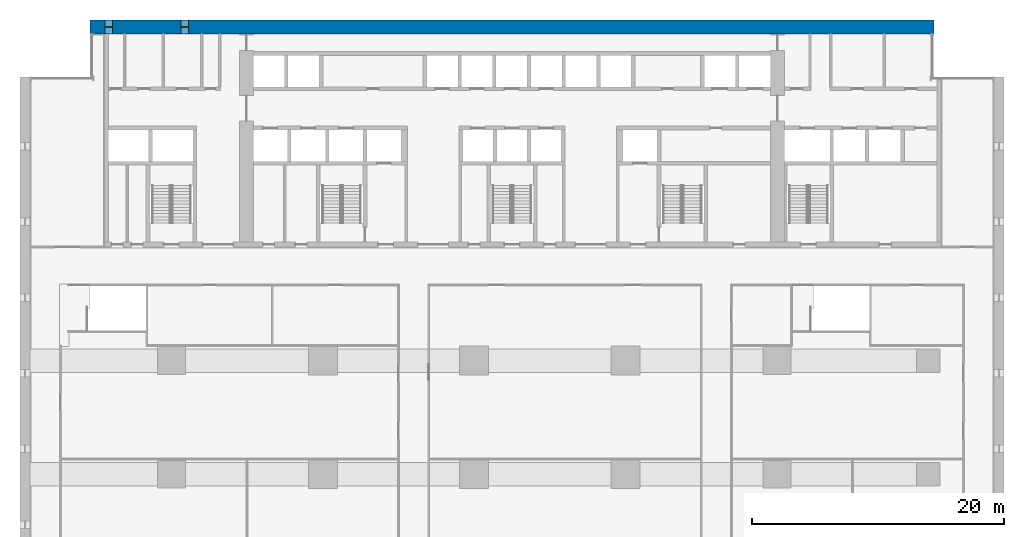
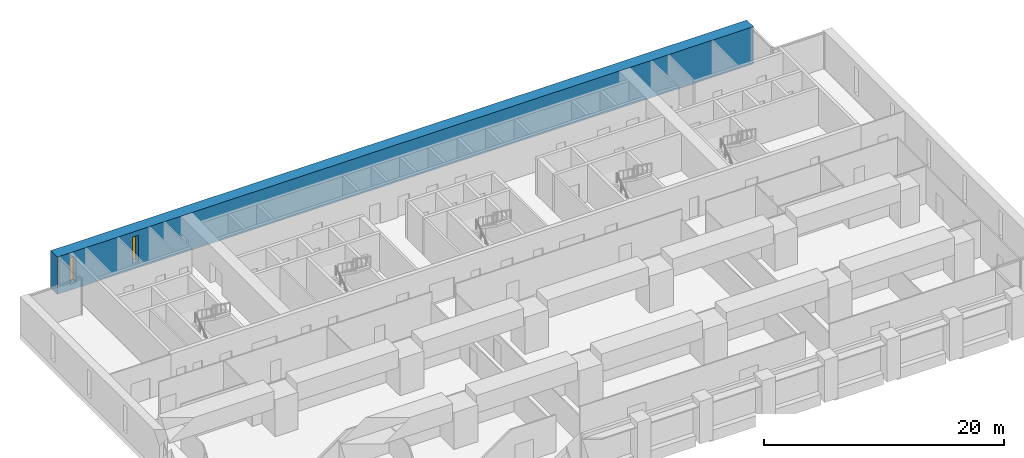
# One storey, part 11 of 17: 2 windows, 1 wall, 2 openings.
"""IFC4 building model written with IfcOpenShell, lengths in metres."""

from ifc_helpers import new_model, si_unit, direction, frame, frame_2d, origin, place, context, subcontext, project, spatial, rectangle, extrude, material, layer, layer_set, type_object, element, fill, save


model = new_model("IFC4")

# Units and contexts
model_context = context("Model", 3, precision=1e-05, world=origin(), true_north=direction((0.0, 1.0)))
body_context = subcontext(model_context, "Body", "Model", "MODEL_VIEW")
ifc_project = project(units=[si_unit("LENGTHUNIT", "METRE"), si_unit("AREAUNIT", "SQUARE_METRE"), si_unit("VOLUMEUNIT", "CUBIC_METRE"), si_unit("PLANEANGLEUNIT", "RADIAN"), si_unit("MASSUNIT", "GRAM", prefix="KILO")], contexts=[model_context])

# Site, building, storey
site_placement = place(None, origin())
site = spatial("IfcSite", under=ifc_project, at=site_placement, CompositionType="ELEMENT")
building_placement = place(site_placement, origin())
building = spatial("IfcBuilding", under=site, at=building_placement, Name="Calvaro Tower", CompositionType="ELEMENT")
storey_placement = place(building_placement, frame((0.0, 0.0, 17.89990234375)))
storey = spatial("IfcBuildingStorey", under=building, at=storey_placement, Name="L03", CompositionType="ELEMENT", Elevation=17.89990234375)

# Wall, openings, windows
ifc_material_1 = material(Name="Concrete C80/95", Category="concrete")
ifc_layer = layer(ifc_material_1, 1.10009765625)
ifc_layer_set = layer_set([ifc_layer], Name="Concrete C80/95")
wall_type = type_object("IfcWallType", Name="Rear core wall 1100 C80/95", PredefinedType="SHEAR", material=ifc_layer_set)
wall_placement = place(storey_placement, frame((5.550048828125, 45.449951171875, 0.0), z_axis=(0.0, 0.0, 1.0), x_axis=(1.0, 0.0, 0.0)))
wall = element("IfcWall", 1, at=wall_placement, inside=storey, type_object=wall_type, Name="North core wall", PredefinedType="SHEAR", context=body_context, shape_type="SweptSolid", body=[
    extrude(rectangle(XDim=66.89990234375, YDim=1.10009765625, at=frame_2d((33.449951171875, 0.0))), origin(), (0.0, 0.0, 1.0), 3.800048828125),
])
opening_1_placement = place(wall_placement, frame((1.199951171875, 0.0, 0.60009765625)))
opening_1 = element("IfcOpeningElement", 2, at=opening_1_placement, cuts=wall, Name="Opening WN01", PredefinedType="OPENING", context=body_context, shape_type="SweptSolid", body=[
    extrude(rectangle(XDim=0.60009765625, YDim=2.699951171875, at=frame_2d((0.300048828125, 1.35009765625))), frame((0.0, 0.56005859375, 0.0), z_axis=(0.0, -1.0, 0.0), x_axis=(1.0, 0.0, 0.0)), (0.0, 0.0, 1.0), 1.1201171875),
])
opening_2_placement = place(wall_placement, frame((7.199951171875, 0.0, 0.60009765625)))
opening_2 = element("IfcOpeningElement", 3, at=opening_2_placement, cuts=wall, Name="Opening WN02", PredefinedType="OPENING", context=body_context, shape_type="SweptSolid", body=[
    extrude(rectangle(XDim=0.60009765625, YDim=2.699951171875, at=frame_2d((0.300048828125, 1.35009765625))), frame((0.0, 0.56005859375, 0.0), z_axis=(0.0, -1.0, 0.0), x_axis=(1.0, 0.0, 0.0)), (0.0, 0.0, 1.0), 1.1201171875),
])
ifc_material_2 = material(Name="Glass", Category="glass")
window_type = type_object("IfcWindowType", Name="Slit window 600 x 2700", PartitioningType="SINGLE_PANEL", PredefinedType="WINDOW", material=ifc_material_2)
window_1_placement = place(opening_1_placement, origin())
window_1 = element("IfcWindow", 4, at=window_1_placement, inside=storey, type_object=window_type, Name="Window WN01", OverallHeight=2.699951171875, OverallWidth=0.60009765625, PartitioningType="SINGLE_PANEL", PredefinedType="WINDOW", context=body_context, shape_type="SweptSolid", body=[
    extrude(rectangle(XDim=0.60009765625, YDim=2.699951171875, at=frame_2d((0.300048828125, 1.35009765625))), frame((0.0, 0.030029296875, 0.0), z_axis=(0.0, -1.0, 0.0), x_axis=(1.0, 0.0, 0.0)), (0.0, 0.0, 1.0), 0.06005859375),
])
fill(opening_1, window_1)
window_2_placement = place(opening_2_placement, origin())
window_2 = element("IfcWindow", 5, at=window_2_placement, inside=storey, type_object=window_type, Name="Window WN02", OverallHeight=2.699951171875, OverallWidth=0.60009765625, PartitioningType="SINGLE_PANEL", PredefinedType="WINDOW", context=body_context, shape_type="SweptSolid", body=[
    extrude(rectangle(XDim=0.60009765625, YDim=2.699951171875, at=frame_2d((0.300048828125, 1.35009765625))), frame((0.0, 0.030029296875, 0.0), z_axis=(0.0, -1.0, 0.0), x_axis=(1.0, 0.0, 0.0)), (0.0, 0.0, 1.0), 0.06005859375),
])
fill(opening_2, window_2)

save(model, "model.ifc")
